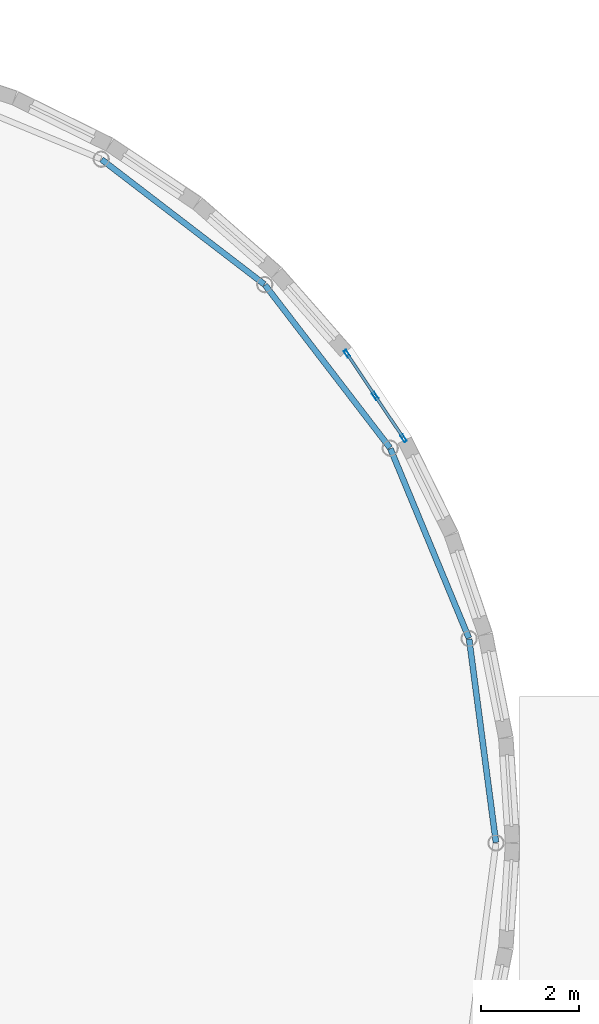
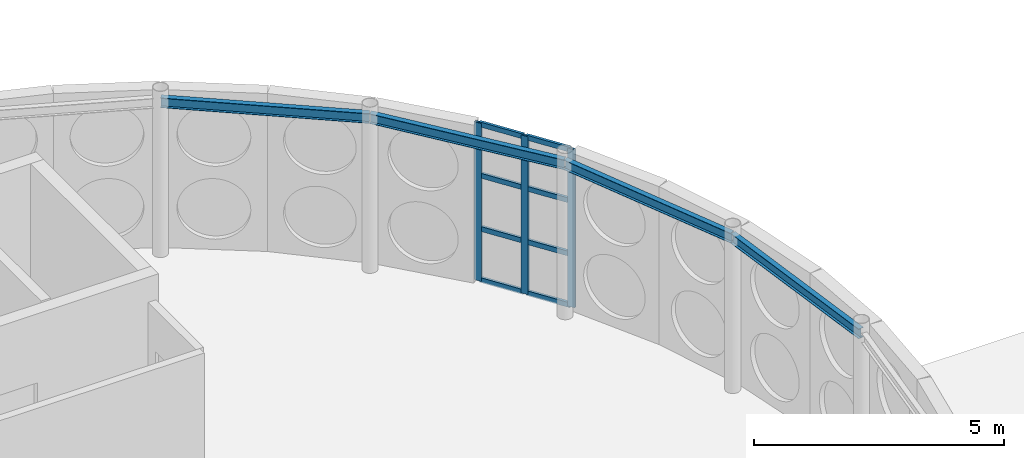
# One storey, part 56 of 189: 11 members, 4 beams, 1 element without a shape of its own.
"""IFC4 building model written with IfcOpenShell, lengths in metres."""

from ifc_helpers import new_model, si_unit, direction, frame, origin, origin_2d, place, context, subcontext, project, spatial, hollow_rectangle, i_section, extrude, material, layer, layer_set, material_profile, profile_set, type_object, element, aggregate, save


model = new_model("IFC4")

# Units and contexts
model_context = context("Model", 3, precision=1e-05, world=origin(), true_north=direction((0.0, 1.0)))
body_context = subcontext(model_context, "Body", "Model", "MODEL_VIEW")
ifc_project = project(units=[si_unit("LENGTHUNIT", "METRE"), si_unit("AREAUNIT", "SQUARE_METRE"), si_unit("VOLUMEUNIT", "CUBIC_METRE"), si_unit("PLANEANGLEUNIT", "RADIAN"), si_unit("MASSUNIT", "GRAM", prefix="KILO")], contexts=[model_context])

# Site, building, storey
site_placement = place(None, origin())
site = spatial("IfcSite", under=ifc_project, at=site_placement, CompositionType="ELEMENT")
building_placement = place(site_placement, origin())
building = spatial("IfcBuilding", under=site, at=building_placement, Name="Montecoro Central Library", CompositionType="ELEMENT")
storey_placement = place(building_placement, frame((0.0, 0.0, 9.179931640625)))
storey = spatial("IfcBuildingStorey", under=building, at=storey_placement, Name="L02", CompositionType="ELEMENT", Elevation=9.179931640625)

# Beams
ifc_material_1 = material(Name="Steel S355", Category="steel")
ifc_material_profile_1 = material_profile(ifc_material_1, i_section(OverallWidth=0.1201171875, OverallDepth=0.239990234375, WebThickness=0.006103515625, FlangeThickness=0.009765625, at=origin_2d()), Name="IPE 240")
ifc_profile_set_1 = profile_set([ifc_material_profile_1], Name="Steel S355")
beam_type = type_object("IfcBeamType", Name="BM-SP-IPE240", PredefinedType="SPANDREL", material=ifc_profile_set_1)
for number, where, z_axis, x_axis, name in (
    (1, (107.779052734375, 35.409912109375, 3.705078125), (-0.130607740177, 0.99143412197, 0.0), (-0.99143412197, -0.130607740177, 0.0), "V1-L02-RING-01"),
    (2, (107.22509765625, 39.596923828125, 3.705078125), (-0.382746700319, 0.923853323529, 0.0), (-0.923853323529, -0.382746700319, 0.0), "V1-L02-RING-02"),
):
    element("IfcBeam", number, at=place(storey_placement, frame(where, z_axis=z_axis, x_axis=x_axis)), inside=storey, type_object=beam_type, Name=name, PredefinedType="SPANDREL", context=body_context, shape_type="SweptSolid", body=[
        extrude(i_section(OverallWidth=0.1201171875, OverallDepth=0.239990234375, WebThickness=0.006103515625, FlangeThickness=0.009765625, at=origin_2d()), origin(), (0.0, 0.0, 1.0), 4.2041015625),
    ])
for number, where, z_axis, x_axis, name in (
    (3, (105.60595703125, 43.498046875, 3.705078125), (-0.608736327249, 0.793372600918, 0.0), (-0.793372600918, -0.608736327249, 0.0), "V1-L02-RING-03"),
    (4, (103.032958984375, 46.846923828125, 3.705078125), (-0.793344551064, 0.608772883181, 0.0), (-0.608772883181, -0.793344551064, 0.0), "V1-L02-RING-04"),
):
    element("IfcBeam", number, at=place(storey_placement, frame(where, z_axis=z_axis, x_axis=x_axis)), inside=storey, type_object=beam_type, Name=name, PredefinedType="SPANDREL", context=body_context, shape_type="SweptSolid", body=[
        extrude(i_section(OverallWidth=0.1201171875, OverallDepth=0.239990234375, WebThickness=0.006103515625, FlangeThickness=0.009765625, at=origin_2d()), origin(), (0.0, 0.0, 1.0), 4.20361328125),
    ])

# Curtain wall, members
ifc_material_2 = material(Name="Bronze-anodised aluminium and low-E glazing", Category="aluminium")
ifc_layer = layer(ifc_material_2, 0.159912109375)
ifc_layer_set = layer_set([ifc_layer], Name="Bronze-anodised aluminium and low-E glazing")
curtain_wall_type = type_object("IfcCurtainWallType", Name="CWT-004", PredefinedType="NOTDEFINED", material=ifc_layer_set)
curtain_wall_placement = place(storey_placement, origin())
curtain_wall = element("IfcCurtainWall", 5, at=curtain_wall_placement, inside=storey, type_object=curtain_wall_type, Name="V1-L02-CW-05", PredefinedType="NOTDEFINED")
ifc_material_3 = material(Name="Bronze-anodised aluminium", Category="aluminium")
ifc_material_profile_2 = material_profile(ifc_material_3, hollow_rectangle(XDim=0.06005859375, YDim=0.159912109375, WallThickness=0.00390625, at=origin_2d()), Name="CWM 160x60x4.0")
ifc_profile_set_2 = profile_set([ifc_material_profile_2], Name="Bronze-anodised aluminium")
member_type_1 = type_object("IfcMemberType", Name="CWM-BRZ-60", PredefinedType="MULLION", material=ifc_profile_set_2)
member_1_placement = place(storey_placement, frame((105.88623046875, 43.69189453125, 0.0), z_axis=(0.0, 0.0, 1.0), x_axis=(-0.831116851291, -0.556097814687, 0.0)))
member_1 = element("IfcMember", 6, at=member_1_placement, type_object=member_type_1, Name="CW-004 mullion 1", PredefinedType="MULLION", context=body_context, shape_type="SweptSolid", body=[
    extrude(hollow_rectangle(XDim=0.06005859375, YDim=0.159912109375, WallThickness=0.00390625, at=origin_2d()), origin(), (0.0, 0.0, 1.0), 3.85498046875),
])
member_2_placement = place(storey_placement, frame((105.306396484375, 44.55859375, 0.0), z_axis=(0.0, 0.0, 1.0), x_axis=(-0.831116851291, -0.556097814687, 0.0)))
member_2 = element("IfcMember", 7, at=member_2_placement, type_object=member_type_1, Name="CW-004 mullion 2", PredefinedType="MULLION", context=body_context, shape_type="SweptSolid", body=[
    extrude(hollow_rectangle(XDim=0.06005859375, YDim=0.159912109375, WallThickness=0.00390625, at=origin_2d()), origin(), (0.0, 0.0, 1.0), 3.85498046875),
])
member_3_placement = place(storey_placement, frame((104.7265625, 45.425048828125, 0.0), z_axis=(0.0, 0.0, 1.0), x_axis=(-0.831116851291, -0.556097814687, 0.0)))
member_3 = element("IfcMember", 8, at=member_3_placement, type_object=member_type_1, Name="CW-004 mullion 3", PredefinedType="MULLION", context=body_context, shape_type="SweptSolid", body=[
    extrude(hollow_rectangle(XDim=0.06005859375, YDim=0.159912109375, WallThickness=0.00390625, at=origin_2d()), origin(), (0.0, 0.0, 1.0), 3.85498046875),
])
ifc_material_profile_3 = material_profile(ifc_material_3, hollow_rectangle(XDim=0.06005859375, YDim=0.1201171875, WallThickness=0.00390625, at=origin_2d()), Name="CWT 120x60x4.0")
ifc_profile_set_3 = profile_set([ifc_material_profile_3], Name="Bronze-anodised aluminium")
member_type_2 = type_object("IfcMemberType", Name="CWT-BRZ-60", PredefinedType="USERDEFINED", material=ifc_profile_set_3)
member_4_placement = place(storey_placement, frame((105.86962890625, 43.716796875, 0.030029296875), z_axis=(-0.556075578393, 0.831131729099, 0.0), x_axis=(-0.831131729099, -0.556075578393, 0.0)))
member_4 = element("IfcMember", 9, at=member_4_placement, type_object=member_type_2, Name="CW-004 transom 1.1", ObjectType="TRANSOM", PredefinedType="USERDEFINED", context=body_context, shape_type="SweptSolid", body=[
    extrude(hollow_rectangle(XDim=0.06005859375, YDim=0.1201171875, WallThickness=0.00390625, at=origin_2d()), origin(), (0.0, 0.0, 1.0), 0.982666015625),
])
member_5_placement = place(storey_placement, frame((105.86962890625, 43.716796875, 1.280029296875), z_axis=(-0.556075578393, 0.831131729099, 0.0), x_axis=(-0.831131729099, -0.556075578393, 0.0)))
member_5 = element("IfcMember", 10, at=member_5_placement, type_object=member_type_2, Name="CW-004 transom 1.2", ObjectType="TRANSOM", PredefinedType="USERDEFINED", context=body_context, shape_type="SweptSolid", body=[
    extrude(hollow_rectangle(XDim=0.06005859375, YDim=0.1201171875, WallThickness=0.00390625, at=origin_2d()), origin(), (0.0, 0.0, 1.0), 0.982666015625),
])
member_6_placement = place(storey_placement, frame((105.86962890625, 43.716796875, 2.580078125), z_axis=(-0.556075578393, 0.831131729099, 0.0), x_axis=(-0.831131729099, -0.556075578393, 0.0)))
member_6 = element("IfcMember", 11, at=member_6_placement, type_object=member_type_2, Name="CW-004 transom 1.3", ObjectType="TRANSOM", PredefinedType="USERDEFINED", context=body_context, shape_type="SweptSolid", body=[
    extrude(hollow_rectangle(XDim=0.06005859375, YDim=0.1201171875, WallThickness=0.00390625, at=origin_2d()), origin(), (0.0, 0.0, 1.0), 0.982666015625),
])
member_7_placement = place(storey_placement, frame((105.86962890625, 43.716796875, 3.824951171875), z_axis=(-0.556075578393, 0.831131729099, 0.0), x_axis=(-0.831131729099, -0.556075578393, 0.0)))
member_7 = element("IfcMember", 12, at=member_7_placement, type_object=member_type_2, Name="CW-004 transom 1.4", ObjectType="TRANSOM", PredefinedType="USERDEFINED", context=body_context, shape_type="SweptSolid", body=[
    extrude(hollow_rectangle(XDim=0.06005859375, YDim=0.1201171875, WallThickness=0.00390625, at=origin_2d()), origin(), (0.0, 0.0, 1.0), 0.982666015625),
])
member_8_placement = place(storey_placement, frame((105.289794921875, 44.58349609375, 0.030029296875), z_axis=(-0.556075578393, 0.831131729099, 0.0), x_axis=(-0.831131729099, -0.556075578393, 0.0)))
member_8 = element("IfcMember", 13, at=member_8_placement, type_object=member_type_2, Name="CW-004 transom 2.1", ObjectType="TRANSOM", PredefinedType="USERDEFINED", context=body_context, shape_type="SweptSolid", body=[
    extrude(hollow_rectangle(XDim=0.06005859375, YDim=0.1201171875, WallThickness=0.00390625, at=origin_2d()), origin(), (0.0, 0.0, 1.0), 0.982666015625),
])
member_9_placement = place(storey_placement, frame((105.289794921875, 44.58349609375, 1.280029296875), z_axis=(-0.556075578393, 0.831131729099, 0.0), x_axis=(-0.831131729099, -0.556075578393, 0.0)))
member_9 = element("IfcMember", 14, at=member_9_placement, type_object=member_type_2, Name="CW-004 transom 2.2", ObjectType="TRANSOM", PredefinedType="USERDEFINED", context=body_context, shape_type="SweptSolid", body=[
    extrude(hollow_rectangle(XDim=0.06005859375, YDim=0.1201171875, WallThickness=0.00390625, at=origin_2d()), origin(), (0.0, 0.0, 1.0), 0.982666015625),
])
member_10_placement = place(storey_placement, frame((105.289794921875, 44.58349609375, 2.580078125), z_axis=(-0.556075578393, 0.831131729099, 0.0), x_axis=(-0.831131729099, -0.556075578393, 0.0)))
member_10 = element("IfcMember", 15, at=member_10_placement, type_object=member_type_2, Name="CW-004 transom 2.3", ObjectType="TRANSOM", PredefinedType="USERDEFINED", context=body_context, shape_type="SweptSolid", body=[
    extrude(hollow_rectangle(XDim=0.06005859375, YDim=0.1201171875, WallThickness=0.00390625, at=origin_2d()), origin(), (0.0, 0.0, 1.0), 0.982666015625),
])
member_11_placement = place(storey_placement, frame((105.289794921875, 44.58349609375, 3.824951171875), z_axis=(-0.556075578393, 0.831131729099, 0.0), x_axis=(-0.831131729099, -0.556075578393, 0.0)))
member_11 = element("IfcMember", 16, at=member_11_placement, type_object=member_type_2, Name="CW-004 transom 2.4", ObjectType="TRANSOM", PredefinedType="USERDEFINED", context=body_context, shape_type="SweptSolid", body=[
    extrude(hollow_rectangle(XDim=0.06005859375, YDim=0.1201171875, WallThickness=0.00390625, at=origin_2d()), origin(), (0.0, 0.0, 1.0), 0.982666015625),
])
aggregate(curtain_wall, [member_1, member_2, member_3, member_4, member_5, member_6, member_7, member_8, member_9, member_10, member_11])

save(model, "model.ifc")
